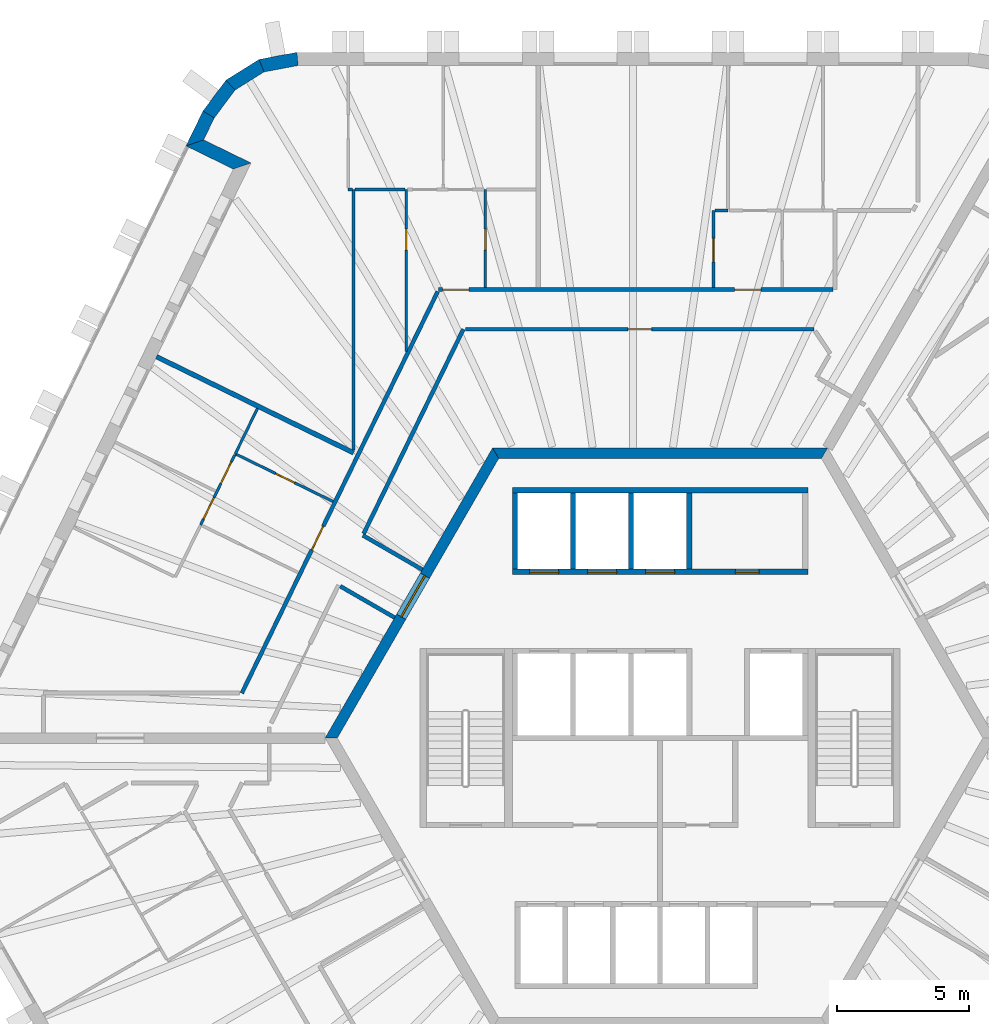
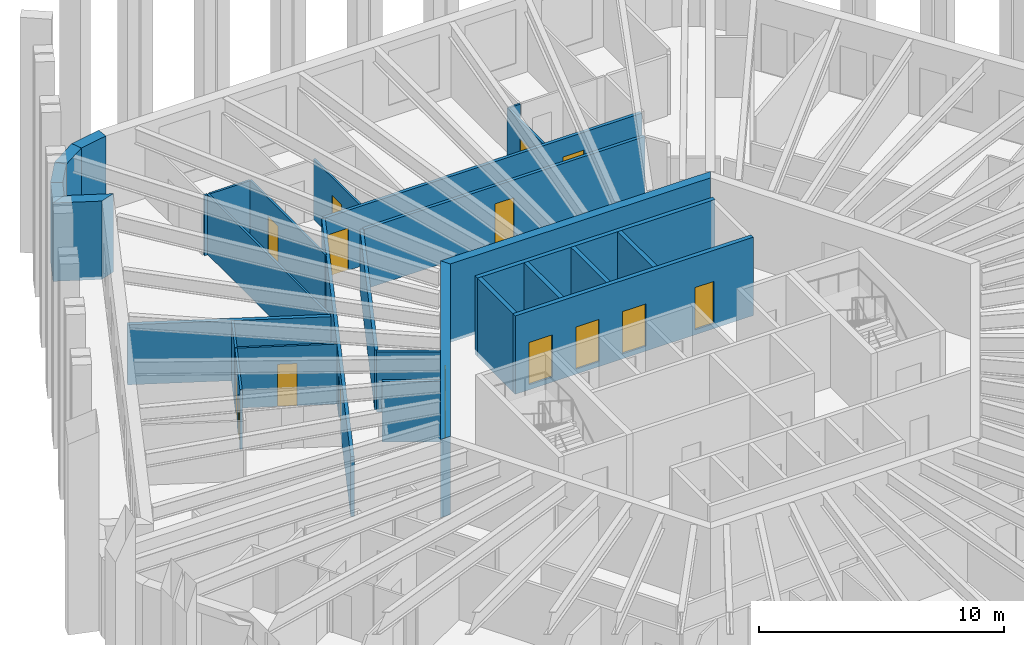
# One storey, part 8 of 13: 30 walls, 15 doors, 15 openings.
"""IFC4 building model written with IfcOpenShell, lengths in metres."""

from ifc_helpers import new_model, si_unit, direction, frame, frame_2d, origin, place, context, subcontext, project, spatial, polyline, rectangle, outline, extrude, material, layer, layer_set, type_object, element, fill, save


model = new_model("IFC4")

# Units and contexts
model_context = context("Model", 3, precision=1e-05, world=origin(), true_north=direction((0.0, 1.0)))
body_context = subcontext(model_context, "Body", "Model", "MODEL_VIEW")
ifc_project = project(units=[si_unit("LENGTHUNIT", "METRE"), si_unit("AREAUNIT", "SQUARE_METRE"), si_unit("VOLUMEUNIT", "CUBIC_METRE"), si_unit("PLANEANGLEUNIT", "RADIAN"), si_unit("MASSUNIT", "GRAM", prefix="KILO")], contexts=[model_context])

# Site, building, storey
site_placement = place(None, origin())
site = spatial("IfcSite", under=ifc_project, at=site_placement, CompositionType="ELEMENT")
building_placement = place(site_placement, origin())
building = spatial("IfcBuilding", under=site, at=building_placement, Name="Tarnside Tower", CompositionType="ELEMENT")
storey_placement = place(building_placement, frame((0.0, 0.0, 303.0)))
storey = spatial("IfcBuildingStorey", under=building, at=storey_placement, Name="L73", CompositionType="ELEMENT", Elevation=303.0)

# Wall
ifc_material_1 = material(Name="Gypsum board partition on steel studs", Category="steel")
ifc_layer_1 = layer(ifc_material_1, 0.10009765625)
ifc_layer_set_1 = layer_set([ifc_layer_1], Name="Bathroom wall 100")
wall_type_1 = type_object("IfcWallType", Name="Bathroom wall 100", PredefinedType="PARTITIONING", material=ifc_layer_set_1)
wall_1_placement = place(storey_placement, frame((-11.624755859375, 10.915283203125, 0.0), z_axis=(0.0, 0.0, 1.0), x_axis=(0.0, 1.0, 0.0)))
element("IfcWall", 1, at=wall_1_placement, inside=storey, type_object=wall_type_1, Name="Bathroom wall 24095", PredefinedType="PARTITIONING", context=body_context, shape_type="SweptSolid", body=[
    extrude(rectangle(XDim=9.884765625, YDim=0.10009765625, at=frame_2d((4.9423828125, 0.0))), origin(), (0.0, 0.0, 1.0), 2.98779296875),
])

# Wall, opening, door
wall_2_placement = place(storey_placement, frame((-6.624755859375, 17.074951171875, 0.0), z_axis=(0.0, 0.0, 1.0), x_axis=(0.0, 1.0, 0.0)))
wall_2 = element("IfcWall", 2, at=wall_2_placement, inside=storey, type_object=wall_type_1, Name="Bathroom wall 24098", PredefinedType="PARTITIONING", context=body_context, shape_type="SweptSolid", body=[
    extrude(rectangle(XDim=3.72509765625, YDim=0.10009765625, at=frame_2d((1.862548828125, 0.0))), origin(), (0.0, 0.0, 1.0), 2.98779296875),
])
opening_1_placement = place(wall_2_placement, frame((1.425048828125, 0.0, 0.0)))
opening_1 = element("IfcOpeningElement", 3, at=opening_1_placement, cuts=wall_2, Name="Opening D-B1", PredefinedType="OPENING", context=body_context, shape_type="SweptSolid", body=[
    extrude(rectangle(XDim=0.800048828125, YDim=2.10009765625, at=frame_2d((0.39990234375, 1.050048828125))), frame((0.0, 0.06005859375, 0.0), z_axis=(0.0, -1.0, 0.0), x_axis=(1.0, 0.0, 0.0)), (0.0, 0.0, 1.0), 0.1201171875),
])
ifc_material_2 = material(Name="Timber door leaf", Category="wood")
door_type_1 = type_object("IfcDoorType", Name="Bathroom door 800", OperationType="NOTDEFINED", PredefinedType="DOOR", material=ifc_material_2)
door_1_placement = place(opening_1_placement, origin())
door_1 = element("IfcDoor", 4, at=door_1_placement, inside=storey, type_object=door_type_1, Name="Bathroom door 24009", OperationType="SINGLE_SWING_RIGHT", OverallHeight=2.10009765625, OverallWidth=0.800048828125, PredefinedType="DOOR", context=body_context, shape_type="SweptSolid", body=[
    extrude(rectangle(XDim=0.800048828125, YDim=2.10009765625, at=frame_2d((0.39990234375, 1.050048828125))), frame((0.0, 0.02490234375, 0.0), z_axis=(0.0, -1.0, 0.0), x_axis=(1.0, 0.0, 0.0)), (0.0, 0.0, 1.0), 0.050048828125),
])
fill(opening_1, door_1)

wall_3_placement = place(storey_placement, frame((-9.624755859375, 20.800048828125, 0.0), z_axis=(0.0, 0.0, 1.0), x_axis=(0.0, -1.0, 0.0)))
wall_3 = element("IfcWall", 5, at=wall_3_placement, inside=storey, type_object=wall_type_1, Name="Bathroom wall 24101", PredefinedType="PARTITIONING", context=body_context, shape_type="SweptSolid", body=[
    extrude(rectangle(XDim=6.14501953125, YDim=0.10009765625, at=frame_2d((3.072509765625, 0.0))), origin(), (0.0, 0.0, 1.0), 2.98779296875),
])
opening_2_placement = place(wall_3_placement, frame((1.5, 0.0, 0.0)))
opening_2 = element("IfcOpeningElement", 6, at=opening_2_placement, cuts=wall_3, Name="Opening D-B1", PredefinedType="OPENING", context=body_context, shape_type="SweptSolid", body=[
    extrude(rectangle(XDim=0.800048828125, YDim=2.10009765625, at=frame_2d((0.39990234375, 1.050048828125))), frame((0.0, 0.06005859375, 0.0), z_axis=(0.0, -1.0, 0.0), x_axis=(1.0, 0.0, 0.0)), (0.0, 0.0, 1.0), 0.1201171875),
])
door_2_placement = place(opening_2_placement, origin())
door_2 = element("IfcDoor", 7, at=door_2_placement, inside=storey, type_object=door_type_1, Name="Bathroom door 24016", OperationType="SINGLE_SWING_RIGHT", OverallHeight=2.10009765625, OverallWidth=0.800048828125, PredefinedType="DOOR", context=body_context, shape_type="SweptSolid", body=[
    extrude(rectangle(XDim=0.800048828125, YDim=2.10009765625, at=frame_2d((0.39990234375, 1.050048828125))), frame((0.0, 0.02490234375, 0.0), z_axis=(0.0, -1.0, 0.0), x_axis=(1.0, 0.0, 0.0)), (0.0, 0.0, 1.0), 0.050048828125),
])
fill(opening_2, door_2)

# Wall
wall_4_placement = place(storey_placement, frame((-11.57470703125, 20.800048828125, 0.0), z_axis=(0.0, 0.0, 1.0), x_axis=(1.0, 0.0, 0.0)))
element("IfcWall", 8, at=wall_4_placement, inside=storey, type_object=wall_type_1, Name="Bathroom wall 24104", PredefinedType="PARTITIONING", context=body_context, shape_type="SweptSolid", body=[
    extrude(rectangle(XDim=1.89990234375, YDim=0.10009765625, at=frame_2d((0.949951171875, 0.0))), origin(), (0.0, 0.0, 1.0), 2.98779296875),
])

# Wall, opening, door
wall_5_placement = place(storey_placement, frame((-12.398681640625, 8.967529296875, 0.0), z_axis=(0.0, 0.0, 1.0), x_axis=(-0.898787215731, 0.438385151252, 0.0)))
wall_5 = element("IfcWall", 9, at=wall_5_placement, inside=storey, type_object=wall_type_1, Name="Bathroom wall 24108", PredefinedType="PARTITIONING", context=body_context, shape_type="SweptSolid", body=[
    extrude(rectangle(XDim=4.125, YDim=0.10009765625, at=frame_2d((2.0625, 0.0))), origin(), (0.0, 0.0, 1.0), 2.98779296875),
])
opening_3_placement = place(wall_5_placement, frame((1.625, 0.0, 0.0)))
opening_3 = element("IfcOpeningElement", 10, at=opening_3_placement, cuts=wall_5, Name="Opening D-B1", PredefinedType="OPENING", context=body_context, shape_type="SweptSolid", body=[
    extrude(rectangle(XDim=0.800048828125, YDim=2.10009765625, at=frame_2d((0.39990234375, 1.050048828125))), frame((0.0, 0.06005859375, 0.0), z_axis=(0.0, -1.0, 0.0), x_axis=(1.0, 0.0, 0.0)), (0.0, 0.0, 1.0), 0.1201171875),
])
door_3_placement = place(opening_3_placement, origin())
door_3 = element("IfcDoor", 11, at=door_3_placement, inside=storey, type_object=door_type_1, Name="Bathroom door 24018", OperationType="SINGLE_SWING_RIGHT", OverallHeight=2.10009765625, OverallWidth=0.800048828125, PredefinedType="DOOR", context=body_context, shape_type="SweptSolid", body=[
    extrude(rectangle(XDim=0.800048828125, YDim=2.10009765625, at=frame_2d((0.39990234375, 1.050048828125))), frame((0.0, 0.02490234375, 0.0), z_axis=(0.0, -1.0, 0.0), x_axis=(1.0, 0.0, 0.0)), (0.0, 0.0, 1.0), 0.050048828125),
])
fill(opening_3, door_3)

# Wall
wall_6_placement = place(storey_placement, frame((-15.26904296875, 12.492431640625, 0.0), z_axis=(0.0, 0.0, 1.0), x_axis=(-0.438355705964, -0.898801577128, 0.0)))
element("IfcWall", 12, at=wall_6_placement, inside=storey, type_object=wall_type_1, Name="Bathroom wall 24111", PredefinedType="PARTITIONING", context=body_context, shape_type="SweptSolid", body=[
    extrude(rectangle(XDim=1.912109375, YDim=0.10009765625, at=frame_2d((0.9560546875, 0.0))), origin(), (0.0, 0.0, 1.0), 2.98779296875),
])

# Wall, opening, door
ifc_material_3 = material(Name="Concrete C60/75", Category="concrete")
ifc_layer_2 = layer(ifc_material_3, 0.39990234375)
ifc_layer_set_2 = layer_set([ifc_layer_2], Name="Core wall Z3 400 C60/75")
wall_type_2 = type_object("IfcWallType", Name="Core wall Z3 400 C60/75", PredefinedType="SHEAR", material=ifc_layer_set_2)
wall_7_placement = place(storey_placement, frame((-6.2353515625, 10.800048828125, -0.14990234375), z_axis=(0.0, 0.0, 1.0), x_axis=(-0.499996419489, -0.866027470984, 0.0)))
wall_7 = element("IfcWall", 13, at=wall_7_placement, inside=storey, type_object=wall_type_2, Name="L73 core wall face 2", PredefinedType="SHEAR", context=body_context, shape_type="SweptSolid", body=[
    extrude(outline(polyline([(-0.115478515625, -0.199951171875), (12.586181640625, -0.199951171875), (12.355224609375, 0.199951171875), (0.115478515625, 0.199951171875), (-0.115478515625, -0.199951171875)])), origin(), (0.0, 0.0, 1.0), 3.89990234375),
])
opening_4_placement = place(wall_7_placement, frame((5.3642578125, 0.0, 0.14990234375)))
opening_4 = element("IfcOpeningElement", 14, at=opening_4_placement, cuts=wall_7, Name="Opening CD-LOB", PredefinedType="OPENING", context=body_context, shape_type="SweptSolid", body=[
    extrude(rectangle(XDim=1.800048828125, YDim=2.39990234375, at=frame_2d((0.89990234375, 1.199951171875))), frame((0.0, 0.2099609375, 0.0), z_axis=(0.0, -1.0, 0.0), x_axis=(1.0, 0.0, 0.0)), (0.0, 0.0, 1.0), 0.419921875),
])
ifc_material_4 = material(Name="Steel fire door", Category="steel")
door_type_2 = type_object("IfcDoorType", Name="Lobby double door FD30S 1800x2400", OperationType="NOTDEFINED", PredefinedType="DOOR", material=ifc_material_4)
door_4_placement = place(opening_4_placement, origin())
door_4 = element("IfcDoor", 15, at=door_4_placement, inside=storey, type_object=door_type_2, Name="L73 core door P1", OperationType="DOUBLE_DOOR_SINGLE_SWING", OverallHeight=2.39990234375, OverallWidth=1.800048828125, PredefinedType="DOOR", context=body_context, shape_type="SweptSolid", body=[
    extrude(rectangle(XDim=1.800048828125, YDim=2.39990234375, at=frame_2d((0.89990234375, 1.199951171875))), frame((0.0, 0.02490234375, 0.0), z_axis=(0.0, -1.0, 0.0), x_axis=(1.0, 0.0, 0.0)), (0.0, 0.0, 1.0), 0.050048828125),
])
fill(opening_4, door_4)

# Wall
wall_8_placement = place(storey_placement, frame((6.2353515625, 10.800048828125, -0.14990234375), z_axis=(0.0, 0.0, 1.0), x_axis=(-1.0, 0.0, 0.0)))
element("IfcWall", 16, at=wall_8_placement, inside=storey, type_object=wall_type_2, Name="L73 core wall face 1", PredefinedType="SHEAR", context=body_context, shape_type="SweptSolid", body=[
    extrude(outline(polyline([(-0.115478515625, -0.199951171875), (12.586181640625, -0.199951171875), (12.355224609375, 0.199951171875), (0.115478515625, 0.199951171875), (-0.115478515625, -0.199951171875)])), origin(), (0.0, 0.0, 1.0), 3.89990234375),
])

# Wall, openings, doors
ifc_layer_3 = layer(ifc_material_1, 0.14990234375)
ifc_layer_set_3 = layer_set([ifc_layer_3], Name="Corridor wall 150 EI 60")
wall_type_3 = type_object("IfcWallType", Name="Corridor wall 150 EI 60", PredefinedType="PARTITIONING", material=ifc_layer_set_3)
wall_9_placement = place(storey_placement, frame((6.551513671875, 17.0, 0.0), z_axis=(0.0, 0.0, 1.0), x_axis=(-1.0, 0.0, 0.0)))
wall_9 = element("IfcWall", 17, at=wall_9_placement, inside=storey, type_object=wall_type_3, Name="Corridor wall 24001", PredefinedType="PARTITIONING", context=body_context, shape_type="SweptSolid", body=[
    extrude(rectangle(XDim=14.948974609375, YDim=0.14990234375, at=frame_2d((7.474609375, 0.0))), origin(), (0.0, 0.0, 1.0), 2.98779296875),
])
opening_5_placement = place(wall_9_placement, frame((2.72509765625, 0.0, 0.0)))
opening_5 = element("IfcOpeningElement", 18, at=opening_5_placement, cuts=wall_9, Name="Opening D-E1", PredefinedType="OPENING", context=body_context, shape_type="SweptSolid", body=[
    extrude(rectangle(XDim=1.0, YDim=2.10009765625, at=frame_2d((0.5, 1.050048828125))), frame((0.0, 0.0849609375, 0.0), z_axis=(0.0, -1.0, 0.0), x_axis=(1.0, 0.0, 0.0)), (0.0, 0.0, 1.0), 0.169921875),
])
opening_6_placement = place(wall_9_placement, frame((13.79931640625, 0.0, 0.0)))
opening_6 = element("IfcOpeningElement", 19, at=opening_6_placement, cuts=wall_9, Name="Opening D-E1", PredefinedType="OPENING", context=body_context, shape_type="SweptSolid", body=[
    extrude(rectangle(XDim=1.0, YDim=2.10009765625, at=frame_2d((0.5, 1.050048828125))), frame((0.0, 0.0849609375, 0.0), z_axis=(0.0, -1.0, 0.0), x_axis=(1.0, 0.0, 0.0)), (0.0, 0.0, 1.0), 0.169921875),
])
door_type_3 = type_object("IfcDoorType", Name="Unit entrance door 1000 FD30S", OperationType="NOTDEFINED", PredefinedType="DOOR", material=ifc_material_2)
door_5_placement = place(opening_5_placement, origin())
door_5 = element("IfcDoor", 20, at=door_5_placement, inside=storey, type_object=door_type_3, Name="Unit door 24001", OperationType="SINGLE_SWING_RIGHT", OverallHeight=2.10009765625, OverallWidth=1.0, PredefinedType="DOOR", context=body_context, shape_type="SweptSolid", body=[
    extrude(rectangle(XDim=1.0, YDim=2.10009765625, at=frame_2d((0.5, 1.050048828125))), frame((0.0, 0.02490234375, 0.0), z_axis=(0.0, -1.0, 0.0), x_axis=(1.0, 0.0, 0.0)), (0.0, 0.0, 1.0), 0.050048828125),
])
fill(opening_5, door_5)
door_6_placement = place(opening_6_placement, origin())
door_6 = element("IfcDoor", 21, at=door_6_placement, inside=storey, type_object=door_type_3, Name="Unit door 24008", OperationType="SINGLE_SWING_LEFT", OverallHeight=2.10009765625, OverallWidth=1.0, PredefinedType="DOOR", context=body_context, shape_type="SweptSolid", body=[
    extrude(rectangle(XDim=1.0, YDim=2.10009765625, at=frame_2d((0.5, 1.050048828125))), frame((0.0, 0.02490234375, 0.0), z_axis=(0.0, -1.0, 0.0), x_axis=(1.0, 0.0, 0.0)), (0.0, 0.0, 1.0), 0.050048828125),
])
fill(opening_6, door_6)

# Wall, opening, door
wall_10_placement = place(storey_placement, frame((-8.43408203125, 16.925048828125, 0.0), z_axis=(0.0, 0.0, 1.0), x_axis=(-0.438371383278, -0.898793930956, 0.0)))
wall_10 = element("IfcWall", 22, at=wall_10_placement, inside=storey, type_object=wall_type_3, Name="Corridor wall 24009", PredefinedType="PARTITIONING", context=body_context, shape_type="SweptSolid", body=[
    extrude(rectangle(XDim=16.939453125, YDim=0.14990234375, at=frame_2d((8.4697265625, 0.0))), origin(), (0.0, 0.0, 1.0), 2.98779296875),
])
opening_7_placement = place(wall_10_placement, frame((9.89013671875, 0.0, 0.0)))
opening_7 = element("IfcOpeningElement", 23, at=opening_7_placement, cuts=wall_10, Name="Opening D-E1", PredefinedType="OPENING", context=body_context, shape_type="SweptSolid", body=[
    extrude(rectangle(XDim=1.0, YDim=2.10009765625, at=frame_2d((0.5, 1.050048828125))), frame((0.0, 0.0849609375, 0.0), z_axis=(0.0, -1.0, 0.0), x_axis=(1.0, 0.0, 0.0)), (0.0, 0.0, 1.0), 0.169921875),
])
door_7_placement = place(opening_7_placement, origin())
door_7 = element("IfcDoor", 24, at=door_7_placement, inside=storey, type_object=door_type_3, Name="Unit door 24017", OperationType="SINGLE_SWING_RIGHT", OverallHeight=2.10009765625, OverallWidth=1.0, PredefinedType="DOOR", context=body_context, shape_type="SweptSolid", body=[
    extrude(rectangle(XDim=1.0, YDim=2.10009765625, at=frame_2d((0.5, 1.050048828125))), frame((0.0, 0.02490234375, 0.0), z_axis=(0.0, -1.0, 0.0), x_axis=(1.0, 0.0, 0.0)), (0.0, 0.0, 1.0), 0.050048828125),
])
fill(opening_7, door_7)

# Walls
wall_11_placement = place(storey_placement, frame((-9.015625, 6.38427734375, 0.0), z_axis=(0.0, 0.0, 1.0), x_axis=(-0.866031051173, 0.499990218309, 0.0)))
element("IfcWall", 25, at=wall_11_placement, inside=storey, type_object=wall_type_3, Name="Corridor wall 24017", PredefinedType="PARTITIONING", context=body_context, shape_type="SweptSolid", body=[
    extrude(rectangle(XDim=2.6044921875, YDim=0.14990234375, at=frame_2d((1.30224609375, 0.0))), origin(), (0.0, 0.0, 1.0), 2.98779296875),
])
wall_12_placement = place(storey_placement, frame((-11.23828125, 7.754150390625, 0.0), z_axis=(0.0, 0.0, 1.0), x_axis=(0.438387352899, 0.89878614187, 0.0)))
element("IfcWall", 26, at=wall_12_placement, inside=storey, type_object=wall_type_3, Name="Corridor wall 24018", PredefinedType="PARTITIONING", context=body_context, shape_type="SweptSolid", body=[
    extrude(rectangle(XDim=8.6181640625, YDim=0.14990234375, at=frame_2d((4.30908203125, 0.0))), origin(), (0.0, 0.0, 1.0), 2.98779296875),
])

# Wall, opening, door
wall_13_placement = place(storey_placement, frame((-7.376708984375, 15.5, 0.0), z_axis=(0.0, 0.0, 1.0), x_axis=(1.0, 0.0, 0.0)))
wall_13 = element("IfcWall", 27, at=wall_13_placement, inside=storey, type_object=wall_type_3, Name="Corridor wall 24019", PredefinedType="PARTITIONING", context=body_context, shape_type="SweptSolid", body=[
    extrude(rectangle(XDim=13.205810546875, YDim=0.14990234375, at=frame_2d((6.60302734375, 0.0))), origin(), (0.0, 0.0, 1.0), 2.98779296875),
])
opening_8_placement = place(wall_13_placement, frame((6.15283203125, 0.0, 0.0)))
opening_8 = element("IfcOpeningElement", 28, at=opening_8_placement, cuts=wall_13, Name="Opening D-S1", PredefinedType="OPENING", context=body_context, shape_type="SweptSolid", body=[
    extrude(rectangle(XDim=0.89990234375, YDim=2.10009765625, at=frame_2d((0.449951171875, 1.050048828125))), frame((0.0, 0.0849609375, 0.0), z_axis=(0.0, -1.0, 0.0), x_axis=(1.0, 0.0, 0.0)), (0.0, 0.0, 1.0), 0.169921875),
])
door_type_4 = type_object("IfcDoorType", Name="Service room door 900 FD30S", OperationType="NOTDEFINED", PredefinedType="DOOR", material=ifc_material_2)
door_8_placement = place(opening_8_placement, origin())
door_8 = element("IfcDoor", 29, at=door_8_placement, inside=storey, type_object=door_type_4, Name="Service door 24063", OperationType="SINGLE_SWING_LEFT", OverallHeight=2.10009765625, OverallWidth=0.89990234375, PredefinedType="DOOR", context=body_context, shape_type="SweptSolid", body=[
    extrude(rectangle(XDim=0.89990234375, YDim=2.10009765625, at=frame_2d((0.449951171875, 1.050048828125))), frame((0.0, 0.02490234375, 0.0), z_axis=(0.0, -1.0, 0.0), x_axis=(1.0, 0.0, 0.0)), (0.0, 0.0, 1.0), 0.050048828125),
])
fill(opening_8, door_8)

# Walls
wall_14_placement = place(storey_placement, frame((-12.12890625, 5.7568359375, 0.0), z_axis=(0.0, 0.0, 1.0), x_axis=(0.866033707122, -0.499985617921, 0.0)))
element("IfcWall", 30, at=wall_14_placement, inside=storey, type_object=wall_type_3, Name="Corridor wall 24025", PredefinedType="PARTITIONING", context=body_context, shape_type="SweptSolid", body=[
    extrude(rectangle(XDim=2.38232421875, YDim=0.14990234375, at=frame_2d((1.191162109375, 0.0))), origin(), (0.0, 0.0, 1.0), 2.98779296875),
])
ifc_layer_4 = layer(ifc_material_1, 0.179931640625)
ifc_layer_set_4 = layer_set([ifc_layer_4], Name="Demising wall 180 EI 60")
wall_type_4 = type_object("IfcWallType", Name="Demising wall 180 EI 60", PredefinedType="PARTITIONING", material=ifc_layer_set_4)
wall_15_placement = place(storey_placement, frame((-19.09423828125, 14.45849609375, 0.0), z_axis=(0.0, 0.0, 1.0), x_axis=(0.898789332666, -0.438380811038, 0.0)))
element("IfcWall", 31, at=wall_15_placement, inside=storey, type_object=wall_type_4, Name="Demising wall 24096", PredefinedType="PARTITIONING", context=body_context, shape_type="SweptSolid", body=[
    extrude(rectangle(XDim=8.3125, YDim=0.179931640625, at=frame_2d((4.15625, 0.0))), origin(), (0.0, 0.0, 1.0), 2.98779296875),
])

# Wall, openings, doors
ifc_material_5 = material(Name="Concrete C40/50", Category="concrete")
ifc_layer_5 = layer(ifc_material_5, 0.199951171875)
ifc_layer_set_5 = layer_set([ifc_layer_5], Name="Lift shaft wall 200 C40/50")
wall_type_5 = type_object("IfcWallType", Name="Lift shaft wall 200 C40/50", PredefinedType="SHEAR", material=ifc_layer_set_5)
wall_16_placement = place(storey_placement, frame((-5.60009765625, 6.300048828125, -0.25), z_axis=(0.0, 0.0, 1.0), x_axis=(1.0, 0.0, 0.0)))
wall_16 = element("IfcWall", 32, at=wall_16_placement, inside=storey, type_object=wall_type_5, Name="L73 lift shaft front wall R1", PredefinedType="SHEAR", context=body_context, shape_type="SweptSolid", body=[
    extrude(rectangle(XDim=11.2001953125, YDim=0.199951171875, at=frame_2d((5.60009765625, 0.0))), origin(), (0.0, 0.0, 1.0), 3.89990234375),
])
opening_9_placement = place(wall_16_placement, frame((8.449951171875, 0.0, 0.25)))
opening_9 = element("IfcOpeningElement", 33, at=opening_9_placement, cuts=wall_16, Name="Opening CD-room", PredefinedType="OPENING", context=body_context, shape_type="SweptSolid", body=[
    extrude(rectangle(XDim=0.89990234375, YDim=2.10009765625, at=frame_2d((0.449951171875, 1.050048828125))), frame((0.0, 0.10986328125, 0.0), z_axis=(0.0, -1.0, 0.0), x_axis=(1.0, 0.0, 0.0)), (0.0, 0.0, 1.0), 0.219970703125),
])
opening_10_placement = place(wall_16_placement, frame((0.64990234375, 0.0, 0.25)))
opening_10 = element("IfcOpeningElement", 34, at=opening_10_placement, cuts=wall_16, Name="Opening LD", PredefinedType="OPENING", context=body_context, shape_type="SweptSolid", body=[
    extrude(rectangle(XDim=1.10009765625, YDim=2.10009765625, at=frame_2d((0.550048828125, 1.050048828125))), frame((0.0, 0.10986328125, 0.0), z_axis=(0.0, -1.0, 0.0), x_axis=(1.0, 0.0, 0.0)), (0.0, 0.0, 1.0), 0.219970703125),
])
opening_11_placement = place(wall_16_placement, frame((2.85009765625, 0.0, 0.25)))
opening_11 = element("IfcOpeningElement", 35, at=opening_11_placement, cuts=wall_16, Name="Opening LD", PredefinedType="OPENING", context=body_context, shape_type="SweptSolid", body=[
    extrude(rectangle(XDim=1.10009765625, YDim=2.10009765625, at=frame_2d((0.550048828125, 1.050048828125))), frame((0.0, 0.10986328125, 0.0), z_axis=(0.0, -1.0, 0.0), x_axis=(1.0, 0.0, 0.0)), (0.0, 0.0, 1.0), 0.219970703125),
])
opening_12_placement = place(wall_16_placement, frame((5.050048828125, 0.0, 0.25)))
opening_12 = element("IfcOpeningElement", 36, at=opening_12_placement, cuts=wall_16, Name="Opening LD", PredefinedType="OPENING", context=body_context, shape_type="SweptSolid", body=[
    extrude(rectangle(XDim=1.10009765625, YDim=2.10009765625, at=frame_2d((0.550048828125, 1.050048828125))), frame((0.0, 0.10986328125, 0.0), z_axis=(0.0, -1.0, 0.0), x_axis=(1.0, 0.0, 0.0)), (0.0, 0.0, 1.0), 0.219970703125),
])
ifc_material_6 = material(Name="Stainless steel", Category="steel")
door_type_5 = type_object("IfcDoorType", Name="Lift landing door 1100x2100", OperationType="NOTDEFINED", PredefinedType="DOOR", material=ifc_material_6)
door_9_placement = place(opening_10_placement, origin())
door_9 = element("IfcDoor", 37, at=door_9_placement, inside=storey, type_object=door_type_5, Name="High-rise lift 1 landing door L73", OperationType="SLIDING_TO_LEFT", OverallHeight=2.10009765625, OverallWidth=1.10009765625, PredefinedType="DOOR", context=body_context, shape_type="SweptSolid", body=[
    extrude(rectangle(XDim=1.10009765625, YDim=2.10009765625, at=frame_2d((0.550048828125, 1.050048828125))), frame((0.0, 0.02490234375, 0.0), z_axis=(0.0, -1.0, 0.0), x_axis=(1.0, 0.0, 0.0)), (0.0, 0.0, 1.0), 0.050048828125),
])
fill(opening_10, door_9)
door_10_placement = place(opening_11_placement, origin())
door_10 = element("IfcDoor", 38, at=door_10_placement, inside=storey, type_object=door_type_5, Name="High-rise lift 2 landing door L73", OperationType="SLIDING_TO_LEFT", OverallHeight=2.10009765625, OverallWidth=1.10009765625, PredefinedType="DOOR", context=body_context, shape_type="SweptSolid", body=[
    extrude(rectangle(XDim=1.10009765625, YDim=2.10009765625, at=frame_2d((0.550048828125, 1.050048828125))), frame((0.0, 0.02490234375, 0.0), z_axis=(0.0, -1.0, 0.0), x_axis=(1.0, 0.0, 0.0)), (0.0, 0.0, 1.0), 0.050048828125),
])
fill(opening_11, door_10)
door_11_placement = place(opening_12_placement, origin())
door_11 = element("IfcDoor", 39, at=door_11_placement, inside=storey, type_object=door_type_5, Name="High-rise lift 3 landing door L73", OperationType="SLIDING_TO_LEFT", OverallHeight=2.10009765625, OverallWidth=1.10009765625, PredefinedType="DOOR", context=body_context, shape_type="SweptSolid", body=[
    extrude(rectangle(XDim=1.10009765625, YDim=2.10009765625, at=frame_2d((0.550048828125, 1.050048828125))), frame((0.0, 0.02490234375, 0.0), z_axis=(0.0, -1.0, 0.0), x_axis=(1.0, 0.0, 0.0)), (0.0, 0.0, 1.0), 0.050048828125),
])
fill(opening_12, door_11)
door_type_6 = type_object("IfcDoorType", Name="Room door FD60 900x2100", OperationType="NOTDEFINED", PredefinedType="DOOR", material=ifc_material_4)
door_12_placement = place(opening_9_placement, origin())
door_12 = element("IfcDoor", 40, at=door_12_placement, inside=storey, type_object=door_type_6, Name="L73 core room door FC1", OperationType="SINGLE_SWING_LEFT", OverallHeight=2.10009765625, OverallWidth=0.89990234375, PredefinedType="DOOR", context=body_context, shape_type="SweptSolid", body=[
    extrude(rectangle(XDim=0.89990234375, YDim=2.10009765625, at=frame_2d((0.449951171875, 1.050048828125))), frame((0.0, 0.02490234375, 0.0), z_axis=(0.0, -1.0, 0.0), x_axis=(1.0, 0.0, 0.0)), (0.0, 0.0, 1.0), 0.050048828125),
])
fill(opening_9, door_12)

# Walls
wall_17_placement = place(storey_placement, frame((-5.60009765625, 9.39990234375, -0.25), z_axis=(0.0, 0.0, 1.0), x_axis=(1.0, 0.0, 0.0)))
element("IfcWall", 41, at=wall_17_placement, inside=storey, type_object=wall_type_5, Name="L73 lift shaft back wall R1", PredefinedType="SHEAR", context=body_context, shape_type="SweptSolid", body=[
    extrude(rectangle(XDim=11.2001953125, YDim=0.199951171875, at=frame_2d((5.60009765625, 0.0))), origin(), (0.0, 0.0, 1.0), 3.89990234375),
])
for number, where, z_axis, x_axis, name in (
    (42, (-5.5, 6.39990234375, -0.25), (0.0, 0.0, 1.0), (0.0, 1.0, 0.0), "L73 lift shaft partition R11"),
    (43, (-3.300048828125, 6.39990234375, -0.25), (0.0, 0.0, 1.0), (0.0, 1.0, 0.0), "L73 lift shaft partition R12"),
    (44, (-1.10009765625, 6.39990234375, -0.25), (0.0, 0.0, 1.0), (0.0, 1.0, 0.0), "L73 lift shaft partition R13"),
    (45, (1.10009765625, 6.39990234375, -0.25), (0.0, 0.0, 1.0), (0.0, 1.0, 0.0), "L73 lift shaft partition R14"),
):
    element("IfcWall", number, at=place(storey_placement, frame(where, z_axis=z_axis, x_axis=x_axis)), inside=storey, type_object=wall_type_5, Name=name, PredefinedType="SHEAR", context=body_context, shape_type="SweptSolid", body=[
        extrude(rectangle(XDim=2.900146484375, YDim=0.199951171875, at=frame_2d((1.4501953125, 0.0))), origin(), (0.0, 0.0, 1.0), 3.89990234375),
    ])
ifc_material_7 = material(Name="Dark zinc cladding")
ifc_layer_6 = layer(ifc_material_7, 0.10205078125)
ifc_material_8 = material(Name="Concrete C60/75 precast", Category="concrete")
ifc_layer_7 = layer(ifc_material_8, 0.298095703125)
ifc_material_9 = material(Name="Mineral wool insulation")
ifc_layer_8 = layer(ifc_material_9, 0.10009765625)
ifc_layer_set_6 = layer_set([ifc_layer_6, ifc_layer_7, ifc_layer_8], Name="Loggia wall 500 zinc faced")
wall_type_6 = type_object("IfcWallType", Name="Loggia wall 500 zinc faced", PredefinedType="SOLIDWALL", material=ifc_layer_set_6)
wall_18_placement = place(storey_placement, frame((-17.11767578125, 23.643798828125, -0.14990234375), z_axis=(0.0, 0.0, 1.0), x_axis=(-0.438319390103, -0.898819287877, 0.0)))
element("IfcWall", 46, at=wall_18_placement, inside=storey, type_object=wall_type_6, Name="Tube wall L73 F2 stub 04", PredefinedType="SOLIDWALL", context=body_context, shape_type="SweptSolid", body=[
    extrude(outline(polyline([(-0.0234375, -0.25), (1.44970703125, -0.25), (0.94970703125, 0.25), (0.0234375, 0.25), (-0.0234375, -0.25)])), origin(), (0.0, 0.0, 1.0), 3.89990234375),
])
wall_19_placement = place(storey_placement, frame((-17.6435546875, 22.5654296875, -0.14990234375), z_axis=(0.0, 0.0, 1.0), x_axis=(0.898754367686, -0.43845249066, 0.0)))
element("IfcWall", 47, at=wall_19_placement, inside=storey, type_object=wall_type_6, Name="Tube wall L73 F2 return 05", PredefinedType="SOLIDWALL", context=body_context, shape_type="SweptSolid", body=[
    extrude(outline(polyline([(-0.25, -0.25), (1.75, -0.25), (2.25, 0.25), (0.25, 0.25), (-0.25, -0.25)])), origin(), (0.0, 0.0, 1.0), 3.89990234375),
])

# Wall, opening, door
ifc_layer_9 = layer(ifc_material_1, 0.10009765625)
ifc_layer_set_7 = layer_set([ifc_layer_9], Name="Partition 100")
wall_type_7 = type_object("IfcWallType", Name="Partition 100", PredefinedType="PARTITIONING", material=ifc_layer_set_7)
wall_20_placement = place(storey_placement, frame((2.026611328125, 17.074951171875, 0.0), z_axis=(0.0, 0.0, 1.0), x_axis=(0.0, 1.0, 0.0)))
wall_20 = element("IfcWall", 48, at=wall_20_placement, inside=storey, type_object=wall_type_7, Name="Partition wall 24083", PredefinedType="PARTITIONING", context=body_context, shape_type="SweptSolid", body=[
    extrude(rectangle(XDim=2.925048828125, YDim=0.10009765625, at=frame_2d((1.46240234375, 0.0))), origin(), (0.0, 0.0, 1.0), 2.98779296875),
])
opening_13_placement = place(wall_20_placement, frame((0.97509765625, 0.0, 0.0)))
opening_13 = element("IfcOpeningElement", 49, at=opening_13_placement, cuts=wall_20, Name="Opening D-I1", PredefinedType="OPENING", context=body_context, shape_type="SweptSolid", body=[
    extrude(rectangle(XDim=0.89990234375, YDim=2.10009765625, at=frame_2d((0.449951171875, 1.050048828125))), frame((0.0, 0.06005859375, 0.0), z_axis=(0.0, -1.0, 0.0), x_axis=(1.0, 0.0, 0.0)), (0.0, 0.0, 1.0), 0.1201171875),
])
door_type_7 = type_object("IfcDoorType", Name="Internal door 900", OperationType="NOTDEFINED", PredefinedType="DOOR", material=ifc_material_2)
door_13_placement = place(opening_13_placement, origin())
door_13 = element("IfcDoor", 50, at=door_13_placement, inside=storey, type_object=door_type_7, Name="Internal door 24003", OperationType="SINGLE_SWING_RIGHT", OverallHeight=2.10009765625, OverallWidth=0.89990234375, PredefinedType="DOOR", context=body_context, shape_type="SweptSolid", body=[
    extrude(rectangle(XDim=0.89990234375, YDim=2.10009765625, at=frame_2d((0.449951171875, 1.050048828125))), frame((0.0, 0.02490234375, 0.0), z_axis=(0.0, -1.0, 0.0), x_axis=(1.0, 0.0, 0.0)), (0.0, 0.0, 1.0), 0.050048828125),
])
fill(opening_13, door_13)

# Walls
wall_21_placement = place(storey_placement, frame((2.07666015625, 20.0, 0.0), z_axis=(0.0, 0.0, 1.0), x_axis=(1.0, 0.0, 0.0)))
element("IfcWall", 51, at=wall_21_placement, inside=storey, type_object=wall_type_7, Name="Partition wall 24084", PredefinedType="PARTITIONING", context=body_context, shape_type="SweptSolid", body=[
    extrude(rectangle(XDim=0.50048828125, YDim=0.10009765625, at=frame_2d((0.250244140625, 0.0))), origin(), (0.0, 0.0, 1.0), 2.98779296875),
])
wall_22_placement = place(storey_placement, frame((-11.6728515625, 20.800048828125, 0.0), z_axis=(0.0, 0.0, 1.0), x_axis=(-1.0, 0.0, 0.0)))
element("IfcWall", 52, at=wall_22_placement, inside=storey, type_object=wall_type_7, Name="Partition wall 24093", PredefinedType="PARTITIONING", context=body_context, shape_type="SweptSolid", body=[
    extrude(rectangle(XDim=0.15185546875, YDim=0.10009765625, at=frame_2d((0.075927734375, 0.0))), origin(), (0.0, 0.0, 1.0), 2.98779296875),
])

# Wall, openings, doors
wall_23_placement = place(storey_placement, frame((-16.127197265625, 10.732666015625, 0.0), z_axis=(0.0, 0.0, 1.0), x_axis=(-0.438365010977, -0.898797038909, 0.0)))
wall_23 = element("IfcWall", 53, at=wall_23_placement, inside=storey, type_object=wall_type_7, Name="Partition wall 24109", PredefinedType="PARTITIONING", context=body_context, shape_type="SweptSolid", body=[
    extrude(rectangle(XDim=2.9541015625, YDim=0.10009765625, at=frame_2d((1.47705078125, 0.0))), origin(), (0.0, 0.0, 1.0), 2.98779296875),
])
opening_14_placement = place(wall_23_placement, frame((0.302001953125, 0.0, 0.0)))
opening_14 = element("IfcOpeningElement", 54, at=opening_14_placement, cuts=wall_23, Name="Opening D-I1", PredefinedType="OPENING", context=body_context, shape_type="SweptSolid", body=[
    extrude(rectangle(XDim=0.89990234375, YDim=2.10009765625, at=frame_2d((0.449951171875, 1.050048828125))), frame((0.0, 0.06005859375, 0.0), z_axis=(0.0, -1.0, 0.0), x_axis=(1.0, 0.0, 0.0)), (0.0, 0.0, 1.0), 0.1201171875),
])
opening_15_placement = place(wall_23_placement, frame((1.802001953125, 0.0, 0.0)))
opening_15 = element("IfcOpeningElement", 55, at=opening_15_placement, cuts=wall_23, Name="Opening D-I1", PredefinedType="OPENING", context=body_context, shape_type="SweptSolid", body=[
    extrude(rectangle(XDim=0.89990234375, YDim=2.10009765625, at=frame_2d((0.449951171875, 1.050048828125))), frame((0.0, 0.06005859375, 0.0), z_axis=(0.0, -1.0, 0.0), x_axis=(1.0, 0.0, 0.0)), (0.0, 0.0, 1.0), 0.1201171875),
])
door_14_placement = place(opening_14_placement, origin())
door_14 = element("IfcDoor", 56, at=door_14_placement, inside=storey, type_object=door_type_7, Name="Internal door 24020", OperationType="SINGLE_SWING_RIGHT", OverallHeight=2.10009765625, OverallWidth=0.89990234375, PredefinedType="DOOR", context=body_context, shape_type="SweptSolid", body=[
    extrude(rectangle(XDim=0.89990234375, YDim=2.10009765625, at=frame_2d((0.449951171875, 1.050048828125))), frame((0.0, 0.02490234375, 0.0), z_axis=(0.0, -1.0, 0.0), x_axis=(1.0, 0.0, 0.0)), (0.0, 0.0, 1.0), 0.050048828125),
])
fill(opening_14, door_14)
door_15_placement = place(opening_15_placement, origin())
door_15 = element("IfcDoor", 57, at=door_15_placement, inside=storey, type_object=door_type_7, Name="Internal door 24021", OperationType="SINGLE_SWING_LEFT", OverallHeight=2.10009765625, OverallWidth=0.89990234375, PredefinedType="DOOR", context=body_context, shape_type="SweptSolid", body=[
    extrude(rectangle(XDim=0.89990234375, YDim=2.10009765625, at=frame_2d((0.449951171875, 1.050048828125))), frame((0.0, 0.02490234375, 0.0), z_axis=(0.0, -1.0, 0.0), x_axis=(1.0, 0.0, 0.0)), (0.0, 0.0, 1.0), 0.050048828125),
])
fill(opening_15, door_15)

# Walls
ifc_material_10 = material(Name="Facing brick", Category="masonry")
ifc_layer_10 = layer(ifc_material_10, 0.10205078125)
ifc_layer_11 = layer(ifc_material_8, 0.298095703125)
ifc_layer_12 = layer(ifc_material_9, 0.10009765625)
ifc_layer_set_8 = layer_set([ifc_layer_10, ifc_layer_11, ifc_layer_12], Name="Tube wall 500 brick faced")
wall_type_8 = type_object("IfcWallType", Name="Tube wall 500 brick faced", PredefinedType="SOLIDWALL", material=ifc_layer_set_8)
wall_24_placement = place(storey_placement, frame((-13.7470703125, 25.75, -0.14990234375), z_axis=(0.0, 0.0, 1.0), x_axis=(-0.982736538448, -0.185010529429, 0.0)))
element("IfcWall", 58, at=wall_24_placement, inside=storey, type_object=wall_type_8, Name="Tube wall L73 F1 chord 01", PredefinedType="SOLIDWALL", context=body_context, shape_type="SweptSolid", body=[
    extrude(outline(polyline([(-0.0234375, -0.25), (1.435302734375, -0.25), (1.341064453125, 0.25), (0.0234375, 0.25), (-0.0234375, -0.25)])), origin(), (0.0, 0.0, 1.0), 3.89990234375),
])
wall_25_placement = place(storey_placement, frame((-15.111328125, 25.4931640625, -0.14990234375), z_axis=(0.0, 0.0, 1.0), x_axis=(-0.847978544293, -0.530030554231, 0.0)))
element("IfcWall", 59, at=wall_25_placement, inside=storey, type_object=wall_type_8, Name="Tube wall L73 F1 chord 02", PredefinedType="SOLIDWALL", context=body_context, shape_type="SweptSolid", body=[
    extrude(outline(polyline([(-0.047119140625, -0.25), (1.435302734375, -0.25), (1.341064453125, 0.25), (0.047119140625, 0.25), (-0.047119140625, -0.25)])), origin(), (0.0, 0.0, 1.0), 3.89990234375),
])
wall_26_placement = place(storey_placement, frame((-16.28857421875, 24.75732421875, -0.14990234375), z_axis=(0.0, 0.0, 1.0), x_axis=(-0.597210785942, -0.802084332945, 0.0)))
element("IfcWall", 60, at=wall_26_placement, inside=storey, type_object=wall_type_8, Name="Tube wall L73 F1 chord 03", PredefinedType="SOLIDWALL", context=body_context, shape_type="SweptSolid", body=[
    extrude(outline(polyline([(-0.047119140625, -0.25), (1.41162109375, -0.25), (1.36474609375, 0.25), (0.047119140625, 0.25), (-0.047119140625, -0.25)])), origin(), (0.0, 0.0, 1.0), 3.89990234375),
])

save(model, "model.ifc")
